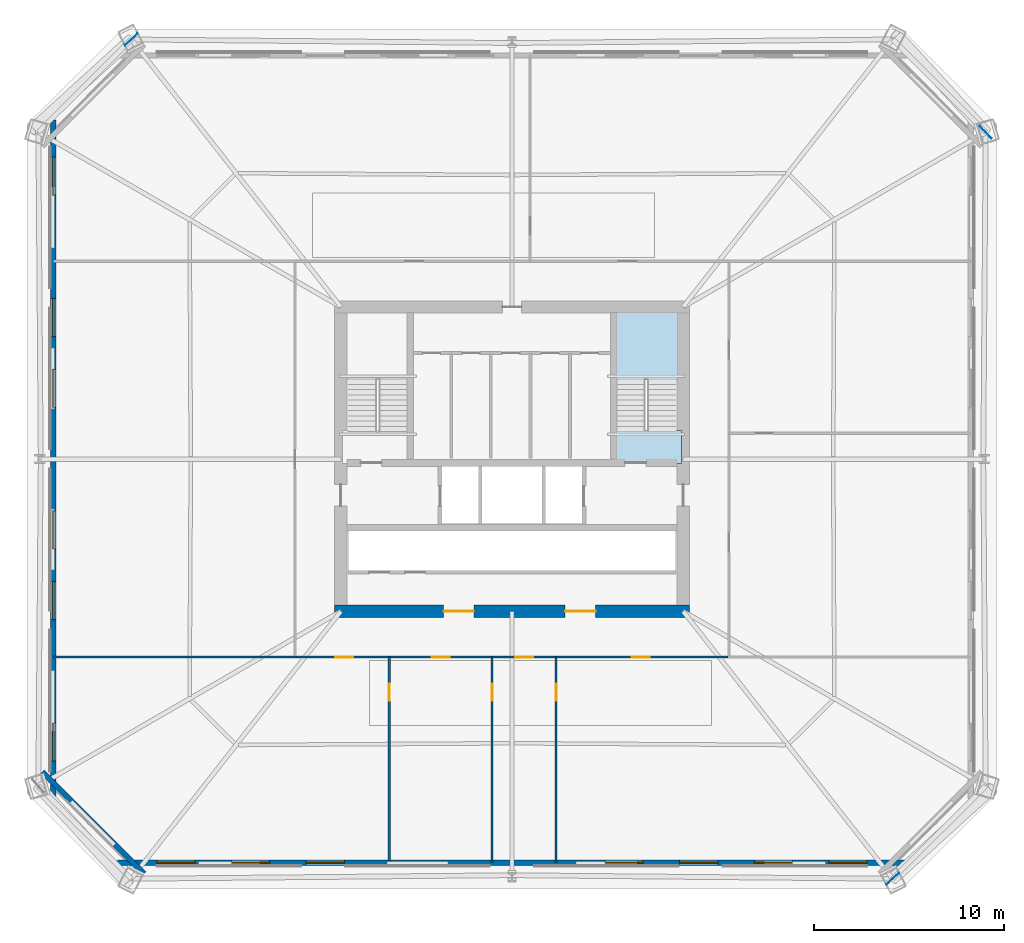
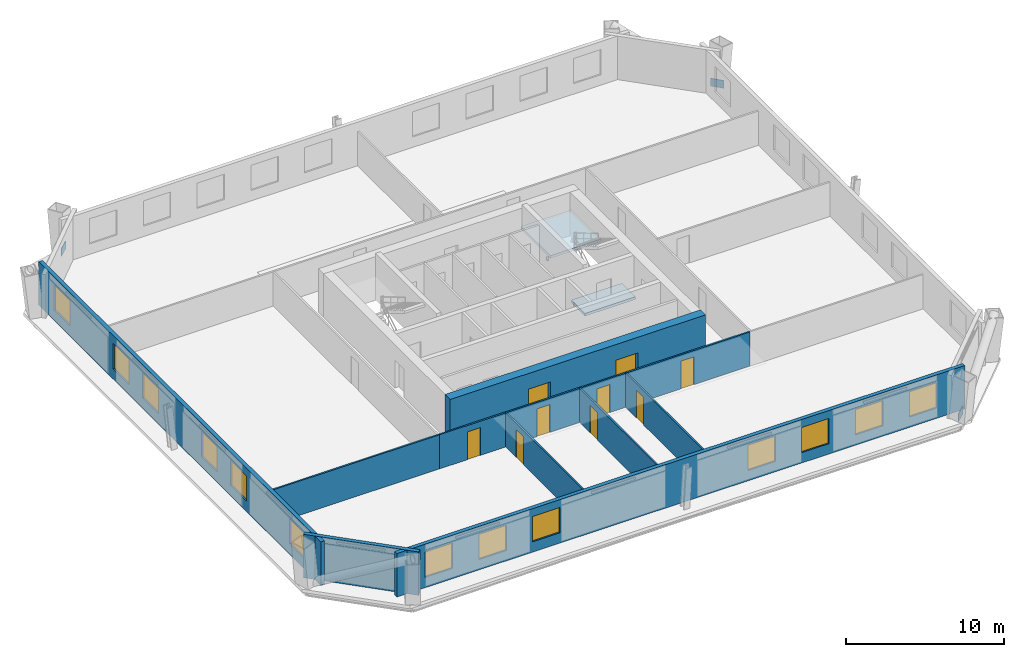
# One storey, part 4 of 10: 13 windows, 9 doors, 9 walls, 3 plates, 2 slabs, 22 openings, 1 element without a shape of its own.
"""IFC4 building model written with IfcOpenShell, lengths in metres."""

from ifc_helpers import new_model, si_unit, direction, frame, frame_2d, origin, origin_2d, place, context, subcontext, project, spatial, polyline, rectangle, outline, extrude, material, layer, layer_set, type_object, element, fill, aggregate, save


model = new_model("IFC4")

# Units and contexts
model_context = context("Model", 3, precision=1e-05, world=origin(), true_north=direction((0.0, 1.0)))
body_context = subcontext(model_context, "Body", "Model", "MODEL_VIEW")
ifc_project = project(units=[si_unit("LENGTHUNIT", "METRE"), si_unit("AREAUNIT", "SQUARE_METRE"), si_unit("VOLUMEUNIT", "CUBIC_METRE"), si_unit("PLANEANGLEUNIT", "RADIAN"), si_unit("MASSUNIT", "GRAM", prefix="KILO")], contexts=[model_context])

# Site, building, storey
site_placement = place(None, origin())
site = spatial("IfcSite", under=ifc_project, at=site_placement, CompositionType="ELEMENT")
building_placement = place(site_placement, origin())
building = spatial("IfcBuilding", under=site, at=building_placement, Name="Caelvoria Tower", CompositionType="ELEMENT")
storey_placement = place(building_placement, frame((0.0, 0.0, 56.800048828125)))
storey = spatial("IfcBuildingStorey", under=building, at=storey_placement, Name="L14", CompositionType="ELEMENT", Elevation=56.800048828125)

# Plates
ifc_material_1 = material(Name="Structural Steel ASTM A572 Gr.50", Category="steel")
ifc_layer_1 = layer(ifc_material_1, 0.0400390625, Name="Structural Steel ASTM A572 Gr.50")
ifc_layer_set_1 = layer_set([ifc_layer_1], Name="Megaframe Node Gusset Plate 900x600x40 - Structural Steel ASTM A572 Gr.50")
plate_type = type_object("IfcPlateType", Name="Megaframe Node Gusset Plate 900x600x40", PredefinedType="USERDEFINED", material=ifc_layer_set_1)
for number, where, z_axis, x_axis, name in (
    (1, (66.016357421875, 9.933349609375, 0.02001953125), (0.0, 0.0, 1.0), (0.739221012471, 0.673462912654, 0.0), "Chamfer Mega Brace Gusset L14 SE"),
    (2, (70.907470703125, 49.19091796875, 0.02001953125), (0.0, 0.0, 1.0), (-0.675452509123, 0.73740349058, 0.0), "Chamfer Mega Brace Gusset L14 NE"),
    (3, (25.983642578125, 54.066650390625, 0.02001953125), (0.0, 0.0, 1.0), (-0.739221012471, -0.673462912654, 0.0), "Chamfer Mega Brace Gusset L14 NW"),
):
    element("IfcPlate", number, at=place(storey_placement, frame(where, z_axis=z_axis, x_axis=x_axis)), inside=storey, type_object=plate_type, Name=name, ObjectType="GUSSET_PLATE", PredefinedType="USERDEFINED", context=body_context, shape_type="SweptSolid", body=[
        extrude(rectangle(XDim=0.89990234375, YDim=0.0400390625, at=origin_2d()), origin(), (0.0, 0.0, 1.0), 0.60009765625),
    ])

# Stair, slabs
ifc_material_2 = material(Name="Concrete C40/50", Category="concrete")
stair_type = type_object("IfcStairType", Name="Core Smokeproof Dogleg Stair Concrete C40/50", PredefinedType="HALF_TURN_STAIR", material=ifc_material_2)
stair_placement = place(storey_placement, origin())
stair = element("IfcStair", 4, at=stair_placement, inside=storey, type_object=stair_type, Name="ST-02 Smokeproof Exit Stair L14", PredefinedType="HALF_TURN_STAIR")
ifc_layer_2 = layer(ifc_material_2, 0.199951171875, Name="Concrete C40/50")
ifc_layer_set_2 = layer_set([ifc_layer_2], Name="Stair Half and Floor Landing Slab 200 Concrete C40/50 - Concrete C40/50")
slab_type = type_object("IfcSlabType", Name="Stair Half and Floor Landing Slab 200 Concrete C40/50", PredefinedType="LANDING", material=ifc_layer_set_2)
slab_1_placement = place(storey_placement, frame((0.0, 0.0, -0.199951171875)))
slab_1 = element("IfcSlab", 5, at=slab_1_placement, type_object=slab_type, Name="ST-02 landing 1", PredefinedType="LANDING", context=body_context, shape_type="SweptSolid", body=[
    extrude(outline(polyline([(51.199951171875, 31.77001953125), (54.89990234375, 31.77001953125), (54.89990234375, 33.5), (51.199951171875, 33.5), (51.199951171875, 31.77001953125)])), origin(), (0.0, 0.0, 1.0), 0.199951171875),
])
slab_2_placement = place(storey_placement, frame((0.0, 0.0, 1.599853515625)))
slab_2 = element("IfcSlab", 6, at=slab_2_placement, type_object=slab_type, Name="ST-02 landing 2", PredefinedType="LANDING", context=body_context, shape_type="SweptSolid", body=[
    extrude(outline(polyline([(51.199951171875, 36.14990234375), (54.89990234375, 36.14990234375), (54.89990234375, 39.89990234375), (51.199951171875, 39.89990234375), (51.199951171875, 36.14990234375)])), origin(), (0.0, 0.0, 1.0), 0.2001953125),
])
aggregate(stair, [slab_1, slab_2])

# Wall, openings, windows
ifc_material_3 = material(Name="Precast Concrete C40/50 with Bronze Cladding", Category="concrete")
ifc_layer_3 = layer(ifc_material_3, 0.280029296875, Name="Precast Concrete C40/50 with Bronze Cladding")
ifc_layer_set_3 = layer_set([ifc_layer_3], Name="Exterior Precast Concrete C40/50 Bronze-Clad Facade Wall 280 - Precast Concrete C40/50 with Bronze Cladding")
wall_type_1 = type_object("IfcWallType", Name="Exterior Precast Concrete C40/50 Bronze-Clad Facade Wall 280", PredefinedType="STANDARD", material=ifc_layer_set_3)
wall_1_placement = place(storey_placement, frame((25.260009765625, 10.780029296875, 0.0), z_axis=(0.0, 0.0, 1.0), x_axis=(1.0, 0.0, 0.0)))
wall_1 = element("IfcWall", 7, at=wall_1_placement, inside=storey, type_object=wall_type_1, Name="Exterior Facade Wall L14-E0", PredefinedType="STANDARD", context=body_context, shape_type="SweptSolid", body=[
    extrude(rectangle(XDim=41.47998046875, YDim=0.280029296875, at=frame_2d((20.739990234375, 0.0))), origin(), (0.0, 0.0, 1.0), 3.35986328125),
])
opening_1_placement = place(wall_1_placement, frame((2.06396484375, 0.0, 0.800048828125)))
opening_1 = element("IfcOpeningElement", 8, at=opening_1_placement, cuts=wall_1, Name="Opening WN-01", PredefinedType="OPENING", context=body_context, shape_type="SweptSolid", body=[
    extrude(rectangle(XDim=2.0, YDim=1.949951171875, at=frame_2d((1.0, 0.97509765625))), frame((0.0, 0.14990234375, 0.0), z_axis=(0.0, -1.0, 0.0), x_axis=(1.0, 0.0, 0.0)), (0.0, 0.0, 1.0), 0.300048828125),
])
opening_2_placement = place(wall_1_placement, frame((5.991943359375, 0.0, 0.800048828125)))
opening_2 = element("IfcOpeningElement", 9, at=opening_2_placement, cuts=wall_1, Name="Opening WN-01", PredefinedType="OPENING", context=body_context, shape_type="SweptSolid", body=[
    extrude(rectangle(XDim=2.0, YDim=1.949951171875, at=frame_2d((1.0, 0.97509765625))), frame((0.0, 0.14990234375, 0.0), z_axis=(0.0, -1.0, 0.0), x_axis=(1.0, 0.0, 0.0)), (0.0, 0.0, 1.0), 0.300048828125),
])
opening_3_placement = place(wall_1_placement, frame((9.919921875, 0.0, 0.800048828125)))
opening_3 = element("IfcOpeningElement", 10, at=opening_3_placement, cuts=wall_1, Name="Opening WN-01", PredefinedType="OPENING", context=body_context, shape_type="SweptSolid", body=[
    extrude(rectangle(XDim=2.0, YDim=1.949951171875, at=frame_2d((1.0, 0.97509765625))), frame((0.0, 0.14990234375, 0.0), z_axis=(0.0, -1.0, 0.0), x_axis=(1.0, 0.0, 0.0)), (0.0, 0.0, 1.0), 0.300048828125),
])
opening_4_placement = place(wall_1_placement, frame((25.632080078125, 0.0, 0.800048828125)))
opening_4 = element("IfcOpeningElement", 11, at=opening_4_placement, cuts=wall_1, Name="Opening WN-01", PredefinedType="OPENING", context=body_context, shape_type="SweptSolid", body=[
    extrude(rectangle(XDim=2.0, YDim=1.949951171875, at=frame_2d((1.0, 0.97509765625))), frame((0.0, 0.14990234375, 0.0), z_axis=(0.0, -1.0, 0.0), x_axis=(1.0, 0.0, 0.0)), (0.0, 0.0, 1.0), 0.300048828125),
])
opening_5_placement = place(wall_1_placement, frame((29.56005859375, 0.0, 0.800048828125)))
opening_5 = element("IfcOpeningElement", 12, at=opening_5_placement, cuts=wall_1, Name="Opening WN-01", PredefinedType="OPENING", context=body_context, shape_type="SweptSolid", body=[
    extrude(rectangle(XDim=2.0, YDim=1.949951171875, at=frame_2d((1.0, 0.97509765625))), frame((0.0, 0.14990234375, 0.0), z_axis=(0.0, -1.0, 0.0), x_axis=(1.0, 0.0, 0.0)), (0.0, 0.0, 1.0), 0.300048828125),
])
opening_6_placement = place(wall_1_placement, frame((33.488037109375, 0.0, 0.800048828125)))
opening_6 = element("IfcOpeningElement", 13, at=opening_6_placement, cuts=wall_1, Name="Opening WN-01", PredefinedType="OPENING", context=body_context, shape_type="SweptSolid", body=[
    extrude(rectangle(XDim=2.0, YDim=1.949951171875, at=frame_2d((1.0, 0.97509765625))), frame((0.0, 0.14990234375, 0.0), z_axis=(0.0, -1.0, 0.0), x_axis=(1.0, 0.0, 0.0)), (0.0, 0.0, 1.0), 0.300048828125),
])
opening_7_placement = place(wall_1_placement, frame((37.416015625, 0.0, 0.800048828125)))
opening_7 = element("IfcOpeningElement", 14, at=opening_7_placement, cuts=wall_1, Name="Opening WN-01", PredefinedType="OPENING", context=body_context, shape_type="SweptSolid", body=[
    extrude(rectangle(XDim=2.0, YDim=1.949951171875, at=frame_2d((1.0, 0.97509765625))), frame((0.0, 0.14990234375, 0.0), z_axis=(0.0, -1.0, 0.0), x_axis=(1.0, 0.0, 0.0)), (0.0, 0.0, 1.0), 0.300048828125),
])
ifc_material_4 = material(Name="Low-E Tinted Glass in Bronze Aluminium Frame", Category="aluminium")
window_type = type_object("IfcWindowType", Name="Tower Office Vision Window 2000x1950", PartitioningType="SINGLE_PANEL", PredefinedType="WINDOW", material=ifc_material_4)
window_1_placement = place(opening_1_placement, origin())
window_1 = element("IfcWindow", 15, at=window_1_placement, inside=storey, type_object=window_type, Name="Facade Window L14-E0-00", OverallHeight=1.949951171875, OverallWidth=2.0, PartitioningType="SINGLE_PANEL", PredefinedType="WINDOW", context=body_context, shape_type="SweptSolid", body=[
    extrude(rectangle(XDim=2.0, YDim=1.949951171875, at=frame_2d((1.0, 0.97509765625))), frame((0.0, 0.030029296875, 0.0), z_axis=(0.0, -1.0, 0.0), x_axis=(1.0, 0.0, 0.0)), (0.0, 0.0, 1.0), 0.06005859375),
])
fill(opening_1, window_1)
window_2_placement = place(opening_2_placement, origin())
window_2 = element("IfcWindow", 16, at=window_2_placement, inside=storey, type_object=window_type, Name="Facade Window L14-E0-01", OverallHeight=1.949951171875, OverallWidth=2.0, PartitioningType="SINGLE_PANEL", PredefinedType="WINDOW", context=body_context, shape_type="SweptSolid", body=[
    extrude(rectangle(XDim=2.0, YDim=1.949951171875, at=frame_2d((1.0, 0.97509765625))), frame((0.0, 0.030029296875, 0.0), z_axis=(0.0, -1.0, 0.0), x_axis=(1.0, 0.0, 0.0)), (0.0, 0.0, 1.0), 0.06005859375),
])
fill(opening_2, window_2)
window_3_placement = place(opening_3_placement, origin())
window_3 = element("IfcWindow", 17, at=window_3_placement, inside=storey, type_object=window_type, Name="Facade Window L14-E0-02", OverallHeight=1.949951171875, OverallWidth=2.0, PartitioningType="SINGLE_PANEL", PredefinedType="WINDOW", context=body_context, shape_type="SweptSolid", body=[
    extrude(rectangle(XDim=2.0, YDim=1.949951171875, at=frame_2d((1.0, 0.97509765625))), frame((0.0, 0.030029296875, 0.0), z_axis=(0.0, -1.0, 0.0), x_axis=(1.0, 0.0, 0.0)), (0.0, 0.0, 1.0), 0.06005859375),
])
fill(opening_3, window_3)
window_4_placement = place(opening_4_placement, origin())
window_4 = element("IfcWindow", 18, at=window_4_placement, inside=storey, type_object=window_type, Name="Facade Window L14-E0-06", OverallHeight=1.949951171875, OverallWidth=2.0, PartitioningType="SINGLE_PANEL", PredefinedType="WINDOW", context=body_context, shape_type="SweptSolid", body=[
    extrude(rectangle(XDim=2.0, YDim=1.949951171875, at=frame_2d((1.0, 0.97509765625))), frame((0.0, 0.030029296875, 0.0), z_axis=(0.0, -1.0, 0.0), x_axis=(1.0, 0.0, 0.0)), (0.0, 0.0, 1.0), 0.06005859375),
])
fill(opening_4, window_4)
window_5_placement = place(opening_5_placement, origin())
window_5 = element("IfcWindow", 19, at=window_5_placement, inside=storey, type_object=window_type, Name="Facade Window L14-E0-07", OverallHeight=1.949951171875, OverallWidth=2.0, PartitioningType="SINGLE_PANEL", PredefinedType="WINDOW", context=body_context, shape_type="SweptSolid", body=[
    extrude(rectangle(XDim=2.0, YDim=1.949951171875, at=frame_2d((1.0, 0.97509765625))), frame((0.0, 0.030029296875, 0.0), z_axis=(0.0, -1.0, 0.0), x_axis=(1.0, 0.0, 0.0)), (0.0, 0.0, 1.0), 0.06005859375),
])
fill(opening_5, window_5)
window_6_placement = place(opening_6_placement, origin())
window_6 = element("IfcWindow", 20, at=window_6_placement, inside=storey, type_object=window_type, Name="Facade Window L14-E0-08", OverallHeight=1.949951171875, OverallWidth=2.0, PartitioningType="SINGLE_PANEL", PredefinedType="WINDOW", context=body_context, shape_type="SweptSolid", body=[
    extrude(rectangle(XDim=2.0, YDim=1.949951171875, at=frame_2d((1.0, 0.97509765625))), frame((0.0, 0.030029296875, 0.0), z_axis=(0.0, -1.0, 0.0), x_axis=(1.0, 0.0, 0.0)), (0.0, 0.0, 1.0), 0.06005859375),
])
fill(opening_6, window_6)
window_7_placement = place(opening_7_placement, origin())
window_7 = element("IfcWindow", 21, at=window_7_placement, inside=storey, type_object=window_type, Name="Facade Window L14-E0-09", OverallHeight=1.949951171875, OverallWidth=2.0, PartitioningType="SINGLE_PANEL", PredefinedType="WINDOW", context=body_context, shape_type="SweptSolid", body=[
    extrude(rectangle(XDim=2.0, YDim=1.949951171875, at=frame_2d((1.0, 0.97509765625))), frame((0.0, 0.030029296875, 0.0), z_axis=(0.0, -1.0, 0.0), x_axis=(1.0, 0.0, 0.0)), (0.0, 0.0, 1.0), 0.06005859375),
])
fill(opening_7, window_7)

wall_2_placement = place(storey_placement, frame((21.8798828125, 49.840087890625, 0.0), z_axis=(0.0, 0.0, 1.0), x_axis=(0.0, -1.0, 0.0)))
wall_2 = element("IfcWall", 22, at=wall_2_placement, inside=storey, type_object=wall_type_1, Name="Exterior Facade Wall L14-E6", PredefinedType="STANDARD", context=body_context, shape_type="SweptSolid", body=[
    extrude(rectangle(XDim=35.68017578125, YDim=0.280029296875, at=frame_2d((17.840087890625, 0.0))), origin(), (0.0, 0.0, 1.0), 3.35986328125),
])
opening_8_placement = place(wall_2_placement, frame((1.9599609375, 0.0, 0.800048828125)))
opening_8 = element("IfcOpeningElement", 23, at=opening_8_placement, cuts=wall_2, Name="Opening WN-01", PredefinedType="OPENING", context=body_context, shape_type="SweptSolid", body=[
    extrude(rectangle(XDim=2.0, YDim=1.949951171875, at=frame_2d((1.0, 0.97509765625))), frame((0.0, 0.14990234375, 0.0), z_axis=(0.0, -1.0, 0.0), x_axis=(1.0, 0.0, 0.0)), (0.0, 0.0, 1.0), 0.300048828125),
])
opening_9_placement = place(wall_2_placement, frame((9.39990234375, 0.0, 0.800048828125)))
opening_9 = element("IfcOpeningElement", 24, at=opening_9_placement, cuts=wall_2, Name="Opening WN-01", PredefinedType="OPENING", context=body_context, shape_type="SweptSolid", body=[
    extrude(rectangle(XDim=2.0, YDim=1.949951171875, at=frame_2d((1.0, 0.97509765625))), frame((0.0, 0.14990234375, 0.0), z_axis=(0.0, -1.0, 0.0), x_axis=(1.0, 0.0, 0.0)), (0.0, 0.0, 1.0), 0.300048828125),
])
opening_10_placement = place(wall_2_placement, frame((13.1201171875, 0.0, 0.800048828125)))
opening_10 = element("IfcOpeningElement", 25, at=opening_10_placement, cuts=wall_2, Name="Opening WN-01", PredefinedType="OPENING", context=body_context, shape_type="SweptSolid", body=[
    extrude(rectangle(XDim=2.0, YDim=1.949951171875, at=frame_2d((1.0, 0.97509765625))), frame((0.0, 0.14990234375, 0.0), z_axis=(0.0, -1.0, 0.0), x_axis=(1.0, 0.0, 0.0)), (0.0, 0.0, 1.0), 0.300048828125),
])
opening_11_placement = place(wall_2_placement, frame((20.56005859375, 0.0, 0.800048828125)))
opening_11 = element("IfcOpeningElement", 26, at=opening_11_placement, cuts=wall_2, Name="Opening WN-01", PredefinedType="OPENING", context=body_context, shape_type="SweptSolid", body=[
    extrude(rectangle(XDim=2.0, YDim=1.949951171875, at=frame_2d((1.0, 0.97509765625))), frame((0.0, 0.14990234375, 0.0), z_axis=(0.0, -1.0, 0.0), x_axis=(1.0, 0.0, 0.0)), (0.0, 0.0, 1.0), 0.300048828125),
])
opening_12_placement = place(wall_2_placement, frame((24.280029296875, 0.0, 0.800048828125)))
opening_12 = element("IfcOpeningElement", 27, at=opening_12_placement, cuts=wall_2, Name="Opening WN-01", PredefinedType="OPENING", context=body_context, shape_type="SweptSolid", body=[
    extrude(rectangle(XDim=2.0, YDim=1.949951171875, at=frame_2d((1.0, 0.97509765625))), frame((0.0, 0.14990234375, 0.0), z_axis=(0.0, -1.0, 0.0), x_axis=(1.0, 0.0, 0.0)), (0.0, 0.0, 1.0), 0.300048828125),
])
opening_13_placement = place(wall_2_placement, frame((31.719970703125, 0.0, 0.800048828125)))
opening_13 = element("IfcOpeningElement", 28, at=opening_13_placement, cuts=wall_2, Name="Opening WN-01", PredefinedType="OPENING", context=body_context, shape_type="SweptSolid", body=[
    extrude(rectangle(XDim=2.0, YDim=1.949951171875, at=frame_2d((1.0, 0.97509765625))), frame((0.0, 0.14990234375, 0.0), z_axis=(0.0, -1.0, 0.0), x_axis=(1.0, 0.0, 0.0)), (0.0, 0.0, 1.0), 0.300048828125),
])
window_8_placement = place(opening_8_placement, origin())
window_8 = element("IfcWindow", 29, at=window_8_placement, inside=storey, type_object=window_type, Name="Facade Window L14-E6-00", OverallHeight=1.949951171875, OverallWidth=2.0, PartitioningType="SINGLE_PANEL", PredefinedType="WINDOW", context=body_context, shape_type="SweptSolid", body=[
    extrude(rectangle(XDim=2.0, YDim=1.949951171875, at=frame_2d((1.0, 0.97509765625))), frame((0.0, 0.030029296875, 0.0), z_axis=(0.0, -1.0, 0.0), x_axis=(1.0, 0.0, 0.0)), (0.0, 0.0, 1.0), 0.06005859375),
])
fill(opening_8, window_8)
window_9_placement = place(opening_9_placement, origin())
window_9 = element("IfcWindow", 30, at=window_9_placement, inside=storey, type_object=window_type, Name="Facade Window L14-E6-02", OverallHeight=1.949951171875, OverallWidth=2.0, PartitioningType="SINGLE_PANEL", PredefinedType="WINDOW", context=body_context, shape_type="SweptSolid", body=[
    extrude(rectangle(XDim=2.0, YDim=1.949951171875, at=frame_2d((1.0, 0.97509765625))), frame((0.0, 0.030029296875, 0.0), z_axis=(0.0, -1.0, 0.0), x_axis=(1.0, 0.0, 0.0)), (0.0, 0.0, 1.0), 0.06005859375),
])
fill(opening_9, window_9)
window_10_placement = place(opening_10_placement, origin())
window_10 = element("IfcWindow", 31, at=window_10_placement, inside=storey, type_object=window_type, Name="Facade Window L14-E6-03", OverallHeight=1.949951171875, OverallWidth=2.0, PartitioningType="SINGLE_PANEL", PredefinedType="WINDOW", context=body_context, shape_type="SweptSolid", body=[
    extrude(rectangle(XDim=2.0, YDim=1.949951171875, at=frame_2d((1.0, 0.97509765625))), frame((0.0, 0.030029296875, 0.0), z_axis=(0.0, -1.0, 0.0), x_axis=(1.0, 0.0, 0.0)), (0.0, 0.0, 1.0), 0.06005859375),
])
fill(opening_10, window_10)
window_11_placement = place(opening_11_placement, origin())
window_11 = element("IfcWindow", 32, at=window_11_placement, inside=storey, type_object=window_type, Name="Facade Window L14-E6-05", OverallHeight=1.949951171875, OverallWidth=2.0, PartitioningType="SINGLE_PANEL", PredefinedType="WINDOW", context=body_context, shape_type="SweptSolid", body=[
    extrude(rectangle(XDim=2.0, YDim=1.949951171875, at=frame_2d((1.0, 0.97509765625))), frame((0.0, 0.030029296875, 0.0), z_axis=(0.0, -1.0, 0.0), x_axis=(1.0, 0.0, 0.0)), (0.0, 0.0, 1.0), 0.06005859375),
])
fill(opening_11, window_11)
window_12_placement = place(opening_12_placement, origin())
window_12 = element("IfcWindow", 33, at=window_12_placement, inside=storey, type_object=window_type, Name="Facade Window L14-E6-06", OverallHeight=1.949951171875, OverallWidth=2.0, PartitioningType="SINGLE_PANEL", PredefinedType="WINDOW", context=body_context, shape_type="SweptSolid", body=[
    extrude(rectangle(XDim=2.0, YDim=1.949951171875, at=frame_2d((1.0, 0.97509765625))), frame((0.0, 0.030029296875, 0.0), z_axis=(0.0, -1.0, 0.0), x_axis=(1.0, 0.0, 0.0)), (0.0, 0.0, 1.0), 0.06005859375),
])
fill(opening_12, window_12)
window_13_placement = place(opening_13_placement, origin())
window_13 = element("IfcWindow", 34, at=window_13_placement, inside=storey, type_object=window_type, Name="Facade Window L14-E6-08", OverallHeight=1.949951171875, OverallWidth=2.0, PartitioningType="SINGLE_PANEL", PredefinedType="WINDOW", context=body_context, shape_type="SweptSolid", body=[
    extrude(rectangle(XDim=2.0, YDim=1.949951171875, at=frame_2d((1.0, 0.97509765625))), frame((0.0, 0.030029296875, 0.0), z_axis=(0.0, -1.0, 0.0), x_axis=(1.0, 0.0, 0.0)), (0.0, 0.0, 1.0), 0.06005859375),
])
fill(opening_13, window_13)

# Wall
wall_3_placement = place(storey_placement, frame((21.30615234375, 15.54541015625, 0.0), z_axis=(0.0, 0.0, 1.0), x_axis=(0.707106781187, -0.707106781187, 0.0)))
element("IfcWall", 35, at=wall_3_placement, inside=storey, type_object=wall_type_1, Name="Exterior Facade Wall L14-E7", PredefinedType="STANDARD", context=body_context, shape_type="SweptSolid", body=[
    extrude(rectangle(XDim=7.551025390625, YDim=0.280029296875, at=frame_2d((3.775390625, 0.0))), origin(), (0.0, 0.0, 1.0), 3.35986328125),
])

# Wall, openings, doors
ifc_material_5 = material(Name="Concrete C60/75", Category="concrete")
ifc_layer_4 = layer(ifc_material_5, 0.64990234375, Name="Concrete C60/75")
ifc_layer_set_4 = layer_set([ifc_layer_4], Name="Lower Core Shear Wall 650 - Concrete C60/75")
wall_type_2 = type_object("IfcWallType", Name="Lower Core Shear Wall 650", PredefinedType="SHEAR", material=ifc_layer_set_4)
wall_4_placement = place(storey_placement, frame((36.675048828125, 24.0, 0.0), z_axis=(0.0, 0.0, 1.0), x_axis=(1.0, 0.0, 0.0)))
wall_4 = element("IfcWall", 36, at=wall_4_placement, inside=storey, type_object=wall_type_2, Name="Core Shear Wall L14 S", PredefinedType="SHEAR", context=body_context, shape_type="SweptSolid", body=[
    extrude(rectangle(XDim=18.64990234375, YDim=0.64990234375, at=frame_2d((9.324951171875, 0.0))), origin(), (0.0, 0.0, 1.0), 3.35986328125),
])
opening_14_placement = place(wall_4_placement, frame((5.72509765625, 0.0, 0.0)))
opening_14 = element("IfcOpeningElement", 37, at=opening_14_placement, cuts=wall_4, Name="Opening ID-08", PredefinedType="OPENING", context=body_context, shape_type="SweptSolid", body=[
    extrude(rectangle(XDim=1.60009765625, YDim=2.14990234375, at=frame_2d((0.800048828125, 1.074951171875))), frame((0.0, 0.3349609375, 0.0), z_axis=(0.0, -1.0, 0.0), x_axis=(1.0, 0.0, 0.0)), (0.0, 0.0, 1.0), 0.669921875),
])
opening_15_placement = place(wall_4_placement, frame((12.125, 0.0, 0.0)))
opening_15 = element("IfcOpeningElement", 38, at=opening_15_placement, cuts=wall_4, Name="Opening ID-08", PredefinedType="OPENING", context=body_context, shape_type="SweptSolid", body=[
    extrude(rectangle(XDim=1.60009765625, YDim=2.14990234375, at=frame_2d((0.800048828125, 1.074951171875))), frame((0.0, 0.3349609375, 0.0), z_axis=(0.0, -1.0, 0.0), x_axis=(1.0, 0.0, 0.0)), (0.0, 0.0, 1.0), 0.669921875),
])
ifc_material_6 = material(Name="Bronze-Framed Fire-Rated Glazed Double Door", Category="aluminium")
door_type_1 = type_object("IfcDoorType", Name="Double Lobby Glazed Door 1600x2200", OperationType="NOTDEFINED", PredefinedType="DOOR", material=ifc_material_6)
door_1_placement = place(opening_14_placement, origin())
door_1 = element("IfcDoor", 39, at=door_1_placement, inside=storey, type_object=door_type_1, Name="Core Door DR-L14-LLOB-S1", OperationType="DOUBLE_DOOR_SINGLE_SWING", OverallHeight=2.14990234375, OverallWidth=1.60009765625, PredefinedType="DOOR", context=body_context, shape_type="SweptSolid", body=[
    extrude(rectangle(XDim=1.60009765625, YDim=2.14990234375, at=frame_2d((0.800048828125, 1.074951171875))), frame((0.0, 0.02490234375, 0.0), z_axis=(0.0, -1.0, 0.0), x_axis=(1.0, 0.0, 0.0)), (0.0, 0.0, 1.0), 0.050048828125),
])
fill(opening_14, door_1)
door_2_placement = place(opening_15_placement, origin())
door_2 = element("IfcDoor", 40, at=door_2_placement, inside=storey, type_object=door_type_1, Name="Core Door DR-L14-LLOB-S2", OperationType="DOUBLE_DOOR_SINGLE_SWING", OverallHeight=2.14990234375, OverallWidth=1.60009765625, PredefinedType="DOOR", context=body_context, shape_type="SweptSolid", body=[
    extrude(rectangle(XDim=1.60009765625, YDim=2.14990234375, at=frame_2d((0.800048828125, 1.074951171875))), frame((0.0, 0.02490234375, 0.0), z_axis=(0.0, -1.0, 0.0), x_axis=(1.0, 0.0, 0.0)), (0.0, 0.0, 1.0), 0.050048828125),
])
fill(opening_15, door_2)

# Wall, opening, door
ifc_material_7 = material(Name="Acoustic Gypsum Board on Light-Gauge Stud", Category="gypsum")
ifc_layer_5 = layer(ifc_material_7, 0.1201171875, Name="Acoustic Gypsum Board on Light-Gauge Stud")
ifc_layer_set_5 = layer_set([ifc_layer_5], Name="Tenant Suite Acoustic Partition Wall 120 - Acoustic Gypsum Board on Light-Gauge Stud")
wall_type_3 = type_object("IfcWallType", Name="Tenant Suite Acoustic Partition Wall 120", PredefinedType="PARTITIONING", material=ifc_layer_set_5)
wall_5_placement = place(storey_placement, frame((39.551025390625, 21.590087890625, 0.0), z_axis=(0.0, 0.0, 1.0), x_axis=(0.0, -1.0, 0.0)))
wall_5 = element("IfcWall", 41, at=wall_5_placement, inside=storey, type_object=wall_type_3, Name="Interior Partition IW-L14-SD-00-0", PredefinedType="PARTITIONING", context=body_context, shape_type="SweptSolid", body=[
    extrude(rectangle(XDim=10.81005859375, YDim=0.1201171875, at=frame_2d((5.405029296875, 0.0))), origin(), (0.0, 0.0, 1.0), 2.639892578125),
])
opening_16_placement = place(wall_5_placement, frame((1.39990234375, 0.0, 0.0)))
opening_16 = element("IfcOpeningElement", 42, at=opening_16_placement, cuts=wall_5, Name="Opening ID-06", PredefinedType="OPENING", context=body_context, shape_type="SweptSolid", body=[
    extrude(rectangle(XDim=0.89990234375, YDim=2.14990234375, at=frame_2d((0.449951171875, 1.074951171875))), frame((0.0, 0.070068359375, 0.0), z_axis=(0.0, -1.0, 0.0), x_axis=(1.0, 0.0, 0.0)), (0.0, 0.0, 1.0), 0.14013671875),
])
ifc_material_8 = material(Name="Engineered Andean Oak Veneer Door", Category="wood")
door_type_2 = type_object("IfcDoorType", Name="Interior Timber Door 900x2150", OperationType="NOTDEFINED", PredefinedType="DOOR", material=ifc_material_8)
door_3_placement = place(opening_16_placement, origin())
door_3 = element("IfcDoor", 43, at=door_3_placement, inside=storey, type_object=door_type_2, Name="Interior Door DR-L14-SM-00-0", OperationType="SINGLE_SWING_RIGHT", OverallHeight=2.14990234375, OverallWidth=0.89990234375, PredefinedType="DOOR", context=body_context, shape_type="SweptSolid", body=[
    extrude(rectangle(XDim=0.89990234375, YDim=2.14990234375, at=frame_2d((0.449951171875, 1.074951171875))), frame((0.0, 0.02490234375, 0.0), z_axis=(0.0, -1.0, 0.0), x_axis=(1.0, 0.0, 0.0)), (0.0, 0.0, 1.0), 0.050048828125),
])
fill(opening_16, door_3)

wall_6_placement = place(storey_placement, frame((44.95166015625, 21.590087890625, 0.0), z_axis=(0.0, 0.0, 1.0), x_axis=(0.0, -1.0, 0.0)))
wall_6 = element("IfcWall", 44, at=wall_6_placement, inside=storey, type_object=wall_type_3, Name="Interior Partition IW-L14-SD-01-0", PredefinedType="PARTITIONING", context=body_context, shape_type="SweptSolid", body=[
    extrude(rectangle(XDim=10.81005859375, YDim=0.1201171875, at=frame_2d((5.405029296875, 0.0))), origin(), (0.0, 0.0, 1.0), 2.639892578125),
])
opening_17_placement = place(wall_6_placement, frame((1.39990234375, 0.0, 0.0)))
opening_17 = element("IfcOpeningElement", 45, at=opening_17_placement, cuts=wall_6, Name="Opening ID-06", PredefinedType="OPENING", context=body_context, shape_type="SweptSolid", body=[
    extrude(rectangle(XDim=0.89990234375, YDim=2.14990234375, at=frame_2d((0.449951171875, 1.074951171875))), frame((0.0, 0.070068359375, 0.0), z_axis=(0.0, -1.0, 0.0), x_axis=(1.0, 0.0, 0.0)), (0.0, 0.0, 1.0), 0.14013671875),
])
door_4_placement = place(opening_17_placement, origin())
door_4 = element("IfcDoor", 46, at=door_4_placement, inside=storey, type_object=door_type_2, Name="Interior Door DR-L14-SM-01-0", OperationType="SINGLE_SWING_LEFT", OverallHeight=2.14990234375, OverallWidth=0.89990234375, PredefinedType="DOOR", context=body_context, shape_type="SweptSolid", body=[
    extrude(rectangle(XDim=0.89990234375, YDim=2.14990234375, at=frame_2d((0.449951171875, 1.074951171875))), frame((0.0, 0.02490234375, 0.0), z_axis=(0.0, -1.0, 0.0), x_axis=(1.0, 0.0, 0.0)), (0.0, 0.0, 1.0), 0.050048828125),
])
fill(opening_17, door_4)

wall_7_placement = place(storey_placement, frame((48.31591796875, 21.590087890625, 0.0), z_axis=(0.0, 0.0, 1.0), x_axis=(0.0, -1.0, 0.0)))
wall_7 = element("IfcWall", 47, at=wall_7_placement, inside=storey, type_object=wall_type_3, Name="Interior Partition IW-L14-SD-02-0", PredefinedType="PARTITIONING", context=body_context, shape_type="SweptSolid", body=[
    extrude(rectangle(XDim=10.81005859375, YDim=0.1201171875, at=frame_2d((5.405029296875, 0.0))), origin(), (0.0, 0.0, 1.0), 2.639892578125),
])
opening_18_placement = place(wall_7_placement, frame((1.39990234375, 0.0, 0.0)))
opening_18 = element("IfcOpeningElement", 48, at=opening_18_placement, cuts=wall_7, Name="Opening ID-06", PredefinedType="OPENING", context=body_context, shape_type="SweptSolid", body=[
    extrude(rectangle(XDim=0.89990234375, YDim=2.14990234375, at=frame_2d((0.449951171875, 1.074951171875))), frame((0.0, 0.070068359375, 0.0), z_axis=(0.0, -1.0, 0.0), x_axis=(1.0, 0.0, 0.0)), (0.0, 0.0, 1.0), 0.14013671875),
])
door_5_placement = place(opening_18_placement, origin())
door_5 = element("IfcDoor", 49, at=door_5_placement, inside=storey, type_object=door_type_2, Name="Interior Door DR-L14-SM-02-0", OperationType="SINGLE_SWING_RIGHT", OverallHeight=2.14990234375, OverallWidth=0.89990234375, PredefinedType="DOOR", context=body_context, shape_type="SweptSolid", body=[
    extrude(rectangle(XDim=0.89990234375, YDim=2.14990234375, at=frame_2d((0.449951171875, 1.074951171875))), frame((0.0, 0.02490234375, 0.0), z_axis=(0.0, -1.0, 0.0), x_axis=(1.0, 0.0, 0.0)), (0.0, 0.0, 1.0), 0.050048828125),
])
fill(opening_18, door_5)

# Wall, openings, doors
wall_8_placement = place(storey_placement, frame((34.64990234375, 21.590087890625, 0.0), z_axis=(0.0, 0.0, 1.0), x_axis=(1.0, 0.0, 0.0)))
wall_8 = element("IfcWall", 50, at=wall_8_placement, inside=storey, type_object=wall_type_3, Name="Interior Partition IW-L14-SCW-0", PredefinedType="PARTITIONING", context=body_context, shape_type="SweptSolid", body=[
    extrude(rectangle(XDim=22.7001953125, YDim=0.1201171875, at=frame_2d((11.35009765625, 0.0))), origin(), (0.0, 0.0, 1.0), 2.639892578125),
])
opening_19_placement = place(wall_8_placement, frame((2.04541015625, 0.0, 0.0)))
opening_19 = element("IfcOpeningElement", 51, at=opening_19_placement, cuts=wall_8, Name="Opening ID-05", PredefinedType="OPENING", context=body_context, shape_type="SweptSolid", body=[
    extrude(rectangle(XDim=0.949951171875, YDim=2.14990234375, at=frame_2d((0.47509765625, 1.074951171875))), frame((0.0, 0.070068359375, 0.0), z_axis=(0.0, -1.0, 0.0), x_axis=(1.0, 0.0, 0.0)), (0.0, 0.0, 1.0), 0.14013671875),
])
opening_20_placement = place(wall_8_placement, frame((7.12646484375, 0.0, 0.0)))
opening_20 = element("IfcOpeningElement", 52, at=opening_20_placement, cuts=wall_8, Name="Opening ID-05", PredefinedType="OPENING", context=body_context, shape_type="SweptSolid", body=[
    extrude(rectangle(XDim=0.949951171875, YDim=2.14990234375, at=frame_2d((0.47509765625, 1.074951171875))), frame((0.0, 0.070068359375, 0.0), z_axis=(0.0, -1.0, 0.0), x_axis=(1.0, 0.0, 0.0)), (0.0, 0.0, 1.0), 0.14013671875),
])
opening_21_placement = place(wall_8_placement, frame((11.5087890625, 0.0, 0.0)))
opening_21 = element("IfcOpeningElement", 53, at=opening_21_placement, cuts=wall_8, Name="Opening ID-05", PredefinedType="OPENING", context=body_context, shape_type="SweptSolid", body=[
    extrude(rectangle(XDim=0.949951171875, YDim=2.14990234375, at=frame_2d((0.47509765625, 1.074951171875))), frame((0.0, 0.070068359375, 0.0), z_axis=(0.0, -1.0, 0.0), x_axis=(1.0, 0.0, 0.0)), (0.0, 0.0, 1.0), 0.14013671875),
])
opening_22_placement = place(wall_8_placement, frame((17.637939453125, 0.0, 0.0)))
opening_22 = element("IfcOpeningElement", 54, at=opening_22_placement, cuts=wall_8, Name="Opening ID-05", PredefinedType="OPENING", context=body_context, shape_type="SweptSolid", body=[
    extrude(rectangle(XDim=0.949951171875, YDim=2.14990234375, at=frame_2d((0.47509765625, 1.074951171875))), frame((0.0, 0.070068359375, 0.0), z_axis=(0.0, -1.0, 0.0), x_axis=(1.0, 0.0, 0.0)), (0.0, 0.0, 1.0), 0.14013671875),
])
door_type_3 = type_object("IfcDoorType", Name="Interior Timber Door 950x2150", OperationType="NOTDEFINED", PredefinedType="DOOR", material=ifc_material_8)
door_6_placement = place(opening_19_placement, origin())
door_6 = element("IfcDoor", 55, at=door_6_placement, inside=storey, type_object=door_type_3, Name="Interior Door DR-L14-SC-00-0", OperationType="SINGLE_SWING_LEFT", OverallHeight=2.14990234375, OverallWidth=0.949951171875, PredefinedType="DOOR", context=body_context, shape_type="SweptSolid", body=[
    extrude(rectangle(XDim=0.949951171875, YDim=2.14990234375, at=frame_2d((0.47509765625, 1.074951171875))), frame((0.0, 0.02490234375, 0.0), z_axis=(0.0, -1.0, 0.0), x_axis=(1.0, 0.0, 0.0)), (0.0, 0.0, 1.0), 0.050048828125),
])
fill(opening_19, door_6)
door_7_placement = place(opening_20_placement, origin())
door_7 = element("IfcDoor", 56, at=door_7_placement, inside=storey, type_object=door_type_3, Name="Interior Door DR-L14-SC-01-0", OperationType="SINGLE_SWING_RIGHT", OverallHeight=2.14990234375, OverallWidth=0.949951171875, PredefinedType="DOOR", context=body_context, shape_type="SweptSolid", body=[
    extrude(rectangle(XDim=0.949951171875, YDim=2.14990234375, at=frame_2d((0.47509765625, 1.074951171875))), frame((0.0, 0.02490234375, 0.0), z_axis=(0.0, -1.0, 0.0), x_axis=(1.0, 0.0, 0.0)), (0.0, 0.0, 1.0), 0.050048828125),
])
fill(opening_20, door_7)
door_8_placement = place(opening_21_placement, origin())
door_8 = element("IfcDoor", 57, at=door_8_placement, inside=storey, type_object=door_type_3, Name="Interior Door DR-L14-SC-02-0", OperationType="SINGLE_SWING_LEFT", OverallHeight=2.14990234375, OverallWidth=0.949951171875, PredefinedType="DOOR", context=body_context, shape_type="SweptSolid", body=[
    extrude(rectangle(XDim=0.949951171875, YDim=2.14990234375, at=frame_2d((0.47509765625, 1.074951171875))), frame((0.0, 0.02490234375, 0.0), z_axis=(0.0, -1.0, 0.0), x_axis=(1.0, 0.0, 0.0)), (0.0, 0.0, 1.0), 0.050048828125),
])
fill(opening_21, door_8)
door_9_placement = place(opening_22_placement, origin())
door_9 = element("IfcDoor", 58, at=door_9_placement, inside=storey, type_object=door_type_3, Name="Interior Door DR-L14-SC-03-0", OperationType="SINGLE_SWING_RIGHT", OverallHeight=2.14990234375, OverallWidth=0.949951171875, PredefinedType="DOOR", context=body_context, shape_type="SweptSolid", body=[
    extrude(rectangle(XDim=0.949951171875, YDim=2.14990234375, at=frame_2d((0.47509765625, 1.074951171875))), frame((0.0, 0.02490234375, 0.0), z_axis=(0.0, -1.0, 0.0), x_axis=(1.0, 0.0, 0.0)), (0.0, 0.0, 1.0), 0.050048828125),
])
fill(opening_22, door_9)

# Wall
wall_9_placement = place(storey_placement, frame((34.64990234375, 21.590087890625, 0.0), z_axis=(0.0, 0.0, 1.0), x_axis=(-1.0, 0.0, 0.0)))
element("IfcWall", 59, at=wall_9_placement, inside=storey, type_object=wall_type_3, Name="Interior Partition IW-L14-BSW-0", PredefinedType="PARTITIONING", context=body_context, shape_type="SweptSolid", body=[
    extrude(rectangle(XDim=12.77001953125, YDim=0.1201171875, at=frame_2d((6.385009765625, 0.0))), origin(), (0.0, 0.0, 1.0), 2.639892578125),
])

save(model, "model.ifc")
